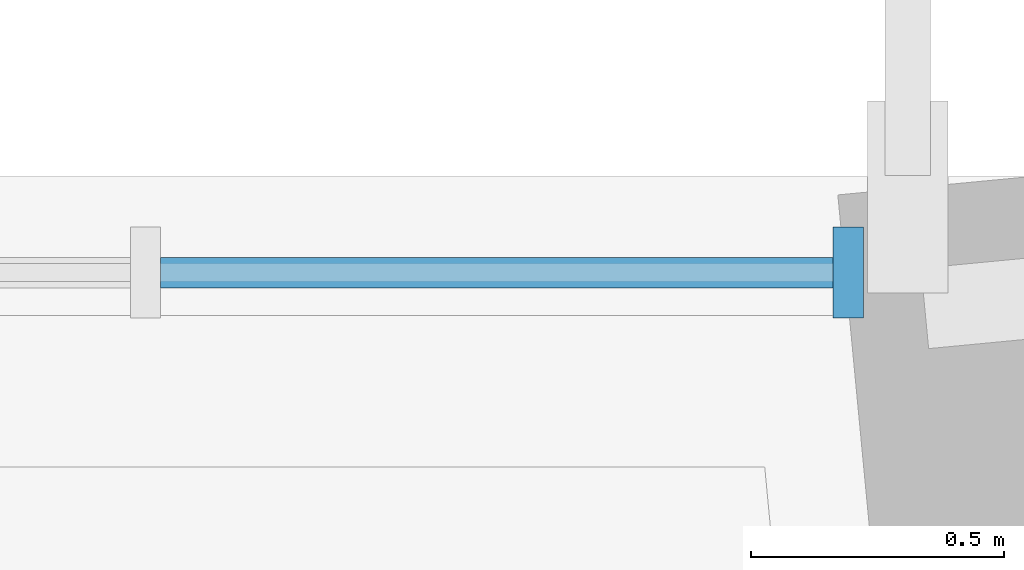
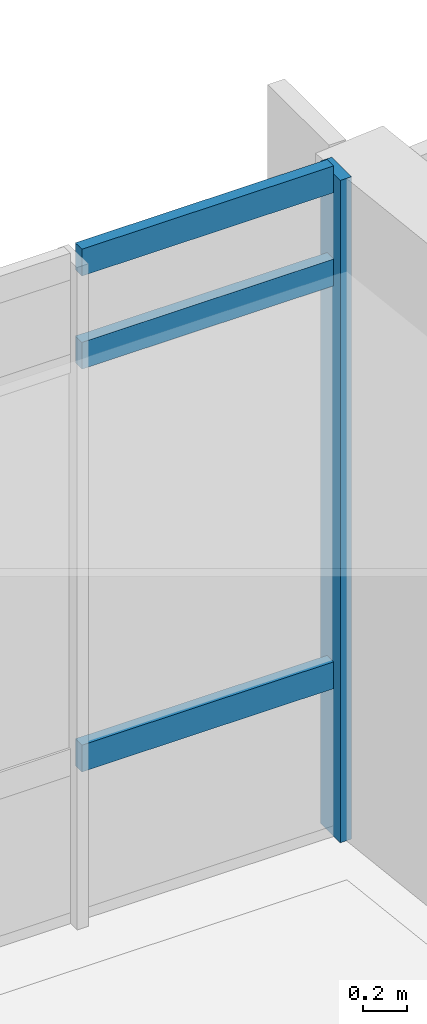
# One storey, part 12 of 28: 4 members, 1 element without a shape of its own.
"""IFC4 building model written with IfcOpenShell, lengths in metres."""

from ifc_helpers import new_model, si_unit, direction, frame, origin, origin_2d, place, context, subcontext, project, spatial, rectangle, extrude, material, material_profile, profile_set, type_object, element, aggregate, save


model = new_model("IFC4")

# Units and contexts
model_context = context("Model", 3, precision=1e-05, world=origin(), true_north=direction((0.0, 1.0)))
body_context = subcontext(model_context, "Body", "Model", "MODEL_VIEW")
ifc_project = project(units=[si_unit("LENGTHUNIT", "METRE"), si_unit("AREAUNIT", "SQUARE_METRE"), si_unit("VOLUMEUNIT", "CUBIC_METRE"), si_unit("PLANEANGLEUNIT", "RADIAN"), si_unit("MASSUNIT", "GRAM", prefix="KILO")], contexts=[model_context])

# Site, building, storey
site_placement = place(None, origin())
site = spatial("IfcSite", under=ifc_project, at=site_placement, CompositionType="ELEMENT")
building_placement = place(site_placement, origin())
building = spatial("IfcBuilding", under=site, at=building_placement, Name="Cymarion Research Institute", CompositionType="ELEMENT")
storey_placement = place(building_placement, frame((0.0, 0.0, 30.60009765625)))
storey = spatial("IfcBuildingStorey", under=building, at=storey_placement, Name="L07", CompositionType="ELEMENT", Elevation=30.60009765625)

# Curtain wall, members
ifc_material_1 = material(Name="Anodised aluminium unitised curtain wall with Low-E glazing", Category="aluminium")
curtain_wall_type = type_object("IfcCurtainWallType", Name="UNITISED CURTAIN WALL CW67 7100X3700", PredefinedType="NOTDEFINED", material=ifc_material_1)
curtain_wall_placement = place(storey_placement, origin())
curtain_wall = element("IfcCurtainWall", 1, at=curtain_wall_placement, inside=storey, type_object=curtain_wall_type, Name="L07 V1 unitised curtain wall CW67 #232", PredefinedType="NOTDEFINED")
ifc_material_2 = material(Name="Anodised aluminium framing", Category="aluminium")
ifc_material_profile_1 = material_profile(ifc_material_2, rectangle(XDim=0.06005859375, YDim=0.179931640625, at=origin_2d()), Name="ALU MULLION 60x180")
ifc_profile_set_1 = profile_set([ifc_material_profile_1], Name="Anodised aluminium framing")
member_type_1 = type_object("IfcMemberType", Name="CURTAIN WALL MULLION ML01 60X180", PredefinedType="MULLION", material=ifc_profile_set_1)
member_1_placement = place(storey_placement, frame((166.98583984375, 29.31005859375, 0.0), z_axis=(0.0, 0.0, 1.0), x_axis=(-1.0, 0.0, 0.0)))
member_1 = element("IfcMember", 2, at=member_1_placement, type_object=member_type_1, Name="CW67 mullion 1", PredefinedType="MULLION", context=body_context, shape_type="SweptSolid", body=[
    extrude(rectangle(XDim=0.06005859375, YDim=0.179931640625, at=origin_2d()), origin(), (0.0, 0.0, 1.0), 3.699951171875),
])
ifc_material_profile_2 = material_profile(ifc_material_2, rectangle(XDim=0.06005859375, YDim=0.14990234375, at=origin_2d()), Name="ALU TRANSOM 60x150")
ifc_profile_set_2 = profile_set([ifc_material_profile_2], Name="Anodised aluminium framing")
member_type_2 = type_object("IfcMemberType", Name="CURTAIN WALL TRANSOM TR01 60X150", PredefinedType="USERDEFINED", material=ifc_profile_set_2)
member_2_placement = place(storey_placement, frame((166.955810546875, 29.31005859375, 0.89990234375), z_axis=(-1.0, 0.0, 0.0), x_axis=(0.0, -1.0, 0.0)))
member_2 = element("IfcMember", 3, at=member_2_placement, type_object=member_type_2, Name="CW67 transom 1.2", ObjectType="TRANSOM", PredefinedType="USERDEFINED", context=body_context, shape_type="SweptSolid", body=[
    extrude(rectangle(XDim=0.06005859375, YDim=0.14990234375, at=origin_2d()), origin(), (0.0, 0.0, 1.0), 1.330810546875),
])
member_3_placement = place(storey_placement, frame((166.955810546875, 29.31005859375, 3.14990234375), z_axis=(-1.0, 0.0, 0.0), x_axis=(0.0, -1.0, 0.0)))
member_3 = element("IfcMember", 4, at=member_3_placement, type_object=member_type_2, Name="CW67 transom 1.3", ObjectType="TRANSOM", PredefinedType="USERDEFINED", context=body_context, shape_type="SweptSolid", body=[
    extrude(rectangle(XDim=0.06005859375, YDim=0.14990234375, at=origin_2d()), origin(), (0.0, 0.0, 1.0), 1.330810546875),
])
member_4_placement = place(storey_placement, frame((166.955810546875, 29.31005859375, 3.669921875), z_axis=(-1.0, 0.0, 0.0), x_axis=(0.0, -1.0, 0.0)))
member_4 = element("IfcMember", 5, at=member_4_placement, type_object=member_type_2, Name="CW67 transom 1.4", ObjectType="TRANSOM", PredefinedType="USERDEFINED", context=body_context, shape_type="SweptSolid", body=[
    extrude(rectangle(XDim=0.06005859375, YDim=0.14990234375, at=origin_2d()), origin(), (0.0, 0.0, 1.0), 1.330810546875),
])
aggregate(curtain_wall, [member_1, member_2, member_3, member_4])

save(model, "model.ifc")
